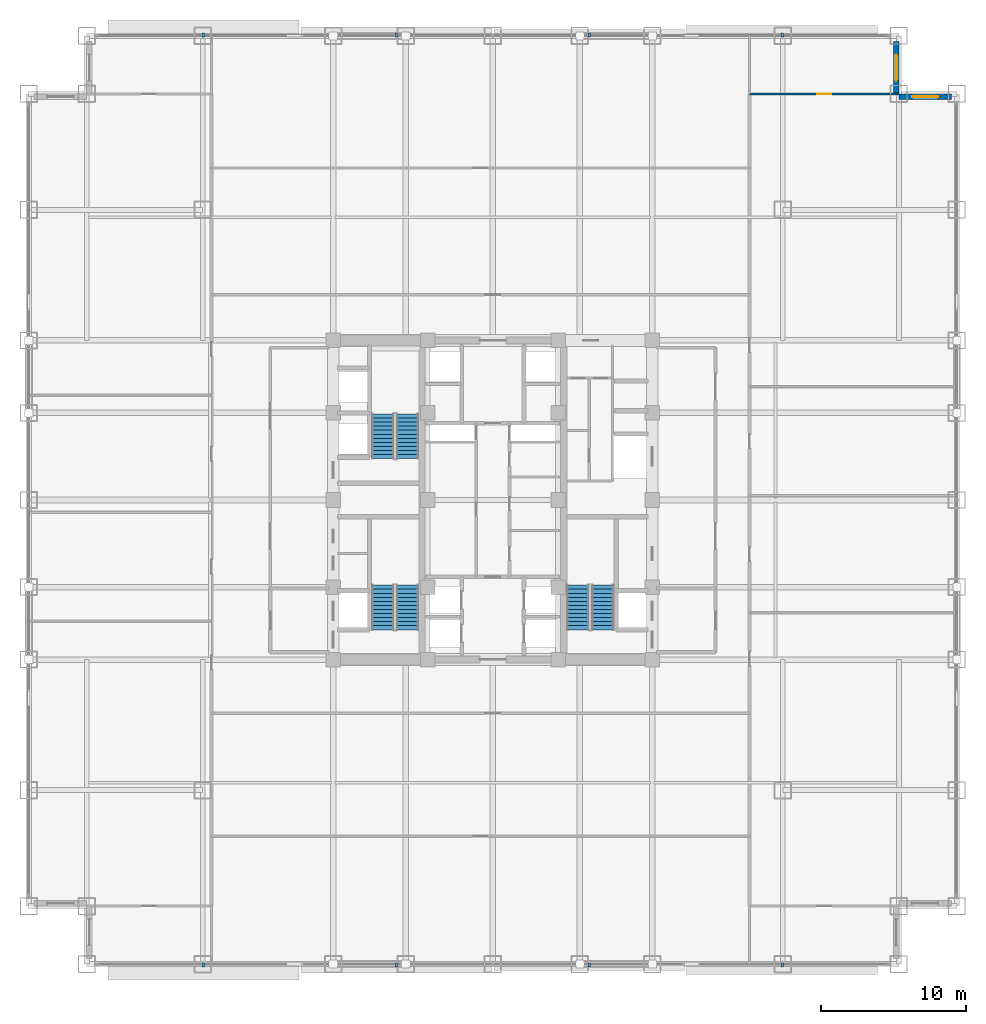
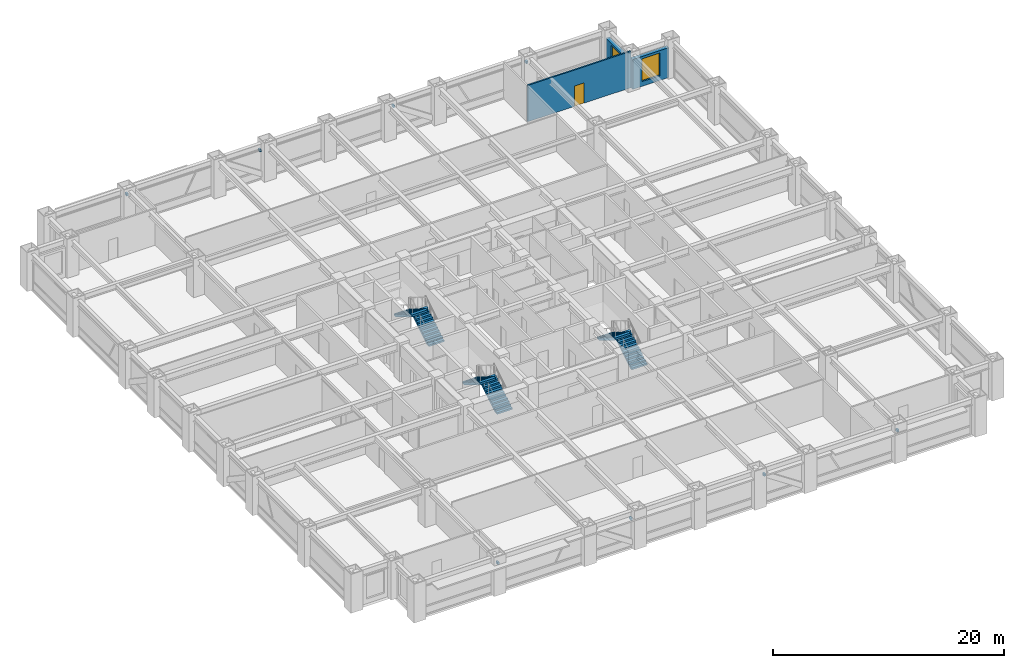
# One storey, part 27 of 32: 8 discrete accessories, 6 stair flights, 3 walls, 2 windows, 1 door, 3 openings, 3 elements without a shape of their own.
"""IFC4 building model written with IfcOpenShell, lengths in metres."""

from ifc_helpers import new_model, si_unit, direction, frame, frame_2d, origin, origin_2d, place, context, subcontext, project, spatial, polyline, rectangle, outline, extrude, source, transform, mapped, material, layer, layer_set, type_object, element, fill, aggregate, save


model = new_model("IFC4")

# Units and contexts
model_context = context("Model", 3, precision=1e-05, world=origin(), true_north=direction((0.0, 1.0)))
body_context = subcontext(model_context, "Body", "Model", "MODEL_VIEW")
ifc_project = project(units=[si_unit("LENGTHUNIT", "METRE"), si_unit("AREAUNIT", "SQUARE_METRE"), si_unit("VOLUMEUNIT", "CUBIC_METRE"), si_unit("PLANEANGLEUNIT", "RADIAN"), si_unit("MASSUNIT", "GRAM", prefix="KILO")], contexts=[model_context])

# Site, building, storey
site_placement = place(None, origin())
site = spatial("IfcSite", under=ifc_project, at=site_placement, CompositionType="ELEMENT")
building_placement = place(site_placement, origin())
building = spatial("IfcBuilding", under=site, at=building_placement, Name="Khorayat Bourse Tower", CompositionType="ELEMENT")
storey_placement = place(building_placement, frame((0.0, 0.0, 95.5)))
storey = spatial("IfcBuildingStorey", under=building, at=storey_placement, Name="L21", CompositionType="ELEMENT", Elevation=95.5)

# Wall, opening, window
ifc_material_1 = material(Name="Precast concrete C45/55", Category="concrete")
ifc_layer_1 = layer(ifc_material_1, 0.3798828125)
ifc_layer_set_1 = layer_set([ifc_layer_1], Name="Precast concrete C45/55")
wall_type_1 = type_object("IfcWallType", Name="WAL-EXT-STONE-380", PredefinedType="STANDARD", material=ifc_layer_set_1)
shared_shape_1 = source(origin(), body_context, "Body", "SweptSolid", [
    extrude(rectangle(XDim=3.6201171875, YDim=0.3798828125, at=frame_2d((1.81005859375, 0.0))), origin(), (0.0, 0.0, 1.0), 3.14501953125),
])
wall_1_placement = place(storey_placement, frame((28.0, 27.81005859375, 0.0), z_axis=(0.0, 0.0, 1.0), x_axis=(1.0, 0.0, 0.0)))
wall_1 = element("IfcWall", 1, at=wall_1_placement, inside=storey, type_object=wall_type_1, Name="L21 Re-Entrant Notch Limestone Wall NE-H", PredefinedType="STANDARD", context=body_context, shape_type="MappedRepresentation", body=[
    mapped(shared_shape_1, transform((0.0, 0.0, 0.0), scale=1.0)),
])
shared_shape_2 = source(origin(), body_context, "Body", "SweptSolid", [
    extrude(rectangle(XDim=1.800048828125, YDim=2.39990234375, at=frame_2d((0.89990234375, 1.199951171875))), frame((0.0, 0.199951171875, 0.0), z_axis=(0.0, -1.0, 0.0), x_axis=(1.0, 0.0, 0.0)), (0.0, 0.0, 1.0), 0.39990234375),
])
opening_1_placement = place(wall_1_placement, frame((0.909912109375, 0.0, 0.5)))
opening_1 = element("IfcOpeningElement", 2, at=opening_1_placement, cuts=wall_1, Name="Opening WN-04", PredefinedType="OPENING", context=body_context, shape_type="MappedRepresentation", body=[
    mapped(shared_shape_2, transform((0.0, 0.0, 0.0), scale=1.0)),
])
ifc_material_2 = material(Name="Low-E acoustic laminated double glazing", Category="glass")
window_type = type_object("IfcWindowType", Name="WIN-NOTCH-1800x2400", PartitioningType="SINGLE_PANEL", PredefinedType="WINDOW", material=ifc_material_2)
shared_shape_3 = source(origin(), body_context, "Body", "SweptSolid", [
    extrude(rectangle(XDim=1.800048828125, YDim=2.39990234375, at=frame_2d((0.89990234375, 1.199951171875))), frame((0.0, 0.030029296875, 0.0), z_axis=(0.0, -1.0, 0.0), x_axis=(1.0, 0.0, 0.0)), (0.0, 0.0, 1.0), 0.06005859375),
])
window_1_placement = place(opening_1_placement, origin())
window_1 = element("IfcWindow", 3, at=window_1_placement, inside=storey, type_object=window_type, Name="L21 Facade Window 1", OverallHeight=2.39990234375, OverallWidth=1.800048828125, PartitioningType="SINGLE_PANEL", PredefinedType="WINDOW", context=body_context, shape_type="MappedRepresentation", body=[
    mapped(shared_shape_3, transform((0.0, 0.0, 0.0), scale=1.0)),
])
fill(opening_1, window_1)

wall_2_placement = place(storey_placement, frame((27.81005859375, 28.0, 0.0), z_axis=(0.0, 0.0, 1.0), x_axis=(0.0, 1.0, 0.0)))
wall_2 = element("IfcWall", 4, at=wall_2_placement, inside=storey, type_object=wall_type_1, Name="L21 Re-Entrant Notch Limestone Wall NE-V", PredefinedType="STANDARD", context=body_context, shape_type="MappedRepresentation", body=[
    mapped(shared_shape_1, transform((0.0, 0.0, 0.0), scale=1.0)),
])
opening_2_placement = place(wall_2_placement, frame((0.909912109375, 0.0, 0.5)))
opening_2 = element("IfcOpeningElement", 5, at=opening_2_placement, cuts=wall_2, Name="Opening WN-04", PredefinedType="OPENING", context=body_context, shape_type="MappedRepresentation", body=[
    mapped(shared_shape_2, transform((0.0, 0.0, 0.0), scale=1.0)),
])
window_2_placement = place(opening_2_placement, origin())
window_2 = element("IfcWindow", 6, at=window_2_placement, inside=storey, type_object=window_type, Name="L21 Facade Window 1", OverallHeight=2.39990234375, OverallWidth=1.800048828125, PartitioningType="SINGLE_PANEL", PredefinedType="WINDOW", context=body_context, shape_type="MappedRepresentation", body=[
    mapped(shared_shape_3, transform((0.0, 0.0, 0.0), scale=1.0)),
])
fill(opening_2, window_2)

# Wall, opening, door
ifc_material_3 = material(Name="Gypsum plasterboard twin-frame partition")
ifc_layer_2 = layer(ifc_material_3, 0.14990234375)
ifc_layer_set_2 = layer_set([ifc_layer_2], Name="Gypsum plasterboard twin-frame partition")
wall_type_2 = type_object("IfcWallType", Name="WAL-PART-SUITE-150", PredefinedType="PARTITIONING", material=ifc_layer_set_2)
shared_shape_4 = source(origin(), body_context, "Body", "SweptSolid", [
    extrude(rectangle(XDim=10.300048828125, YDim=0.14990234375, at=frame_2d((5.14990234375, 0.0))), origin(), (0.0, 0.0, 1.0), 3.840087890625),
])
wall_3_placement = place(storey_placement, frame((17.699951171875, 28.0, 0.0), z_axis=(0.0, 0.0, 1.0), x_axis=(1.0, 0.0, 0.0)))
wall_3 = element("IfcWall", 7, at=wall_3_placement, inside=storey, type_object=wall_type_2, Name="L21 Partition WAL-L21-CNE", PredefinedType="PARTITIONING", context=body_context, shape_type="MappedRepresentation", body=[
    mapped(shared_shape_4, transform((0.0, 0.0, 0.0), scale=1.0)),
])
shared_shape_5 = source(origin(), body_context, "Body", "SweptSolid", [
    extrude(rectangle(XDim=0.949951171875, YDim=2.14990234375, at=frame_2d((0.47509765625, 1.074951171875))), frame((0.0, 0.0849609375, 0.0), z_axis=(0.0, -1.0, 0.0), x_axis=(1.0, 0.0, 0.0)), (0.0, 0.0, 1.0), 0.169921875),
])
opening_3_placement = place(wall_3_placement, frame((4.675048828125, 0.0, 0.0)))
opening_3 = element("IfcOpeningElement", 8, at=opening_3_placement, cuts=wall_3, Name="Opening DI-05", PredefinedType="OPENING", context=body_context, shape_type="MappedRepresentation", body=[
    mapped(shared_shape_5, transform((0.0, 0.0, 0.0), scale=1.0)),
])
ifc_material_4 = material(Name="Acoustic oak veneer office door")
door_type = type_object("IfcDoorType", Name="DR-INT-OFFICE-950", OperationType="NOTDEFINED", PredefinedType="DOOR", material=ifc_material_4)
shared_shape_6 = source(origin(), body_context, "Body", "SweptSolid", [
    extrude(rectangle(XDim=0.949951171875, YDim=2.14990234375, at=frame_2d((0.47509765625, 1.074951171875))), frame((0.0, 0.02490234375, 0.0), z_axis=(0.0, -1.0, 0.0), x_axis=(1.0, 0.0, 0.0)), (0.0, 0.0, 1.0), 0.050048828125),
])
door_placement = place(opening_3_placement, origin())
door = element("IfcDoor", 9, at=door_placement, inside=storey, type_object=door_type, Name="L21 North-East Corner Lounge Door", OperationType="SINGLE_SWING_LEFT", OverallHeight=2.14990234375, OverallWidth=0.949951171875, PredefinedType="DOOR", context=body_context, shape_type="MappedRepresentation", body=[
    mapped(shared_shape_6, transform((0.0, 0.0, 0.0), scale=1.0)),
])
fill(opening_3, door)

# Stair, stair flights
ifc_material_5 = material(Name="Concrete C40/50", Category="concrete")
stair_type = type_object("IfcStairType", Name="STR-CORE-1550", PredefinedType="HALF_TURN_STAIR", material=ifc_material_5)
stair_1_placement = place(storey_placement, origin())
stair_1 = element("IfcStair", 10, at=stair_1_placement, inside=storey, type_object=stair_type, Name="L21 Exit Stair ST-1", PredefinedType="HALF_TURN_STAIR")
stair_flight_type = type_object("IfcStairFlightType", Name="FLT-CORE-1550", PredefinedType="STRAIGHT", material=ifc_material_5)
shared_shape_7 = source(origin(), body_context, "Body", "SweptSolid", [
    extrude(outline(polyline([(0.0, 0.0), (0.0, 0.1708984375), (0.280029296875, 0.1708984375), (0.280029296875, 0.341552734375), (0.56005859375, 0.341552734375), (0.56005859375, 0.512451171875), (0.840087890625, 0.512451171875), (0.840087890625, 0.683349609375), (1.1201171875, 0.683349609375), (1.1201171875, 0.854248046875), (1.39990234375, 0.854248046875), (1.39990234375, 1.02490234375), (1.679931640625, 1.02490234375), (1.679931640625, 1.19580078125), (1.9599609375, 1.19580078125), (1.9599609375, 1.36669921875), (2.239990234375, 1.36669921875), (2.239990234375, 1.53759765625), (2.52001953125, 1.53759765625), (2.52001953125, 1.708251953125), (2.800048828125, 1.708251953125), (2.800048828125, 1.879150390625), (3.080078125, 1.879150390625), (3.080078125, 2.050048828125), (3.080078125, 1.66845703125), (0.345458984375, 0.0), (0.0, 0.0)])), frame((0.0, 0.77490234375, 0.0), z_axis=(0.0, -1.0, 0.0), x_axis=(1.0, 0.0, 0.0)), (0.0, 0.0, 1.0), 1.550048828125),
])
stair_flight_1_placement = place(storey_placement, frame((-5.875, -8.949951171875, 0.0), z_axis=(0.0, 0.0, 1.0), x_axis=(0.0, 1.0, 0.0)))
stair_flight_1 = element("IfcStairFlight", 11, at=stair_flight_1_placement, type_object=stair_flight_type, Name="ST-1 flight 1", NumberOfRisers=12, NumberOfTreads=11, PredefinedType="STRAIGHT", RiserHeight=0.170833333, TreadLength=0.28, context=body_context, shape_type="MappedRepresentation", body=[
    mapped(shared_shape_7, transform((0.0, 0.0, 0.0), scale=1.0)),
])
stair_flight_2_placement = place(storey_placement, frame((-7.574951171875, -5.8701171875, 2.050048828125), z_axis=(0.0, 0.0, 1.0), x_axis=(0.0, -1.0, 0.0)))
stair_flight_2 = element("IfcStairFlight", 12, at=stair_flight_2_placement, type_object=stair_flight_type, Name="ST-1 flight 2", NumberOfRisers=12, NumberOfTreads=11, PredefinedType="STRAIGHT", RiserHeight=0.170833333, TreadLength=0.28, context=body_context, shape_type="MappedRepresentation", body=[
    mapped(shared_shape_7, transform((0.0, 0.0, 0.0), scale=1.0)),
])
aggregate(stair_1, [stair_flight_1, stair_flight_2])

stair_2_placement = place(storey_placement, origin())
stair_2 = element("IfcStair", 13, at=stair_2_placement, inside=storey, type_object=stair_type, Name="L21 Exit Stair ST-2", PredefinedType="HALF_TURN_STAIR")
stair_flight_3_placement = place(storey_placement, frame((-5.875, 2.85009765625, 0.0), z_axis=(0.0, 0.0, 1.0), x_axis=(0.0, 1.0, 0.0)))
stair_flight_3 = element("IfcStairFlight", 14, at=stair_flight_3_placement, type_object=stair_flight_type, Name="ST-2 flight 1", NumberOfRisers=12, NumberOfTreads=11, PredefinedType="STRAIGHT", RiserHeight=0.170833333, TreadLength=0.28, context=body_context, shape_type="MappedRepresentation", body=[
    mapped(shared_shape_7, transform((0.0, 0.0, 0.0), scale=1.0)),
])
stair_flight_4_placement = place(storey_placement, frame((-7.574951171875, 5.929931640625, 2.050048828125), z_axis=(0.0, 0.0, 1.0), x_axis=(0.0, -1.0, 0.0)))
stair_flight_4 = element("IfcStairFlight", 15, at=stair_flight_4_placement, type_object=stair_flight_type, Name="ST-2 flight 2", NumberOfRisers=12, NumberOfTreads=11, PredefinedType="STRAIGHT", RiserHeight=0.170833333, TreadLength=0.28, context=body_context, shape_type="MappedRepresentation", body=[
    mapped(shared_shape_7, transform((0.0, 0.0, 0.0), scale=1.0)),
])
aggregate(stair_2, [stair_flight_3, stair_flight_4])

stair_3_placement = place(storey_placement, origin())
stair_3 = element("IfcStair", 16, at=stair_3_placement, inside=storey, type_object=stair_type, Name="L21 Exit Stair ST-3", PredefinedType="HALF_TURN_STAIR")
stair_flight_5_placement = place(storey_placement, frame((7.574951171875, -8.949951171875, 0.0), z_axis=(0.0, 0.0, 1.0), x_axis=(0.0, 1.0, 0.0)))
stair_flight_5 = element("IfcStairFlight", 17, at=stair_flight_5_placement, type_object=stair_flight_type, Name="ST-3 flight 1", NumberOfRisers=12, NumberOfTreads=11, PredefinedType="STRAIGHT", RiserHeight=0.170833333, TreadLength=0.28, context=body_context, shape_type="MappedRepresentation", body=[
    mapped(shared_shape_7, transform((0.0, 0.0, 0.0), scale=1.0)),
])
stair_flight_6_placement = place(storey_placement, frame((5.875, -5.8701171875, 2.050048828125), z_axis=(0.0, 0.0, 1.0), x_axis=(0.0, -1.0, 0.0)))
stair_flight_6 = element("IfcStairFlight", 18, at=stair_flight_6_placement, type_object=stair_flight_type, Name="ST-3 flight 2", NumberOfRisers=12, NumberOfTreads=11, PredefinedType="STRAIGHT", RiserHeight=0.170833333, TreadLength=0.28, context=body_context, shape_type="MappedRepresentation", body=[
    mapped(shared_shape_7, transform((0.0, 0.0, 0.0), scale=1.0)),
])
aggregate(stair_3, [stair_flight_5, stair_flight_6])

# Discrete accessories
ifc_material_6 = material(Name="Steel EN 10025-2 S355J2", Category="steel")
discrete_accessory_type = type_object("IfcDiscreteAccessoryType", Name="ACC-SHADE-BRACKET", PredefinedType="BRACKET", material=ifc_material_6)
shared_shape_8 = source(origin(), body_context, "Body", "SweptSolid", [
    extrude(rectangle(XDim=0.179931640625, YDim=0.300048828125, at=origin_2d()), origin(), (0.0, 0.0, 1.0), 0.239990234375),
])
for number, where, z_axis, x_axis, name in (
    (19, (-19.949951171875, -32.06005859375, 2.93994140625), (0.0, 0.0, 1.0), (1.0, 0.0, 0.0), "L21 Sunshade Support Bracket S-1"),
    (20, (-6.64990234375, -32.06005859375, 2.93994140625), (0.0, 0.0, 1.0), (1.0, 0.0, 0.0), "L21 Sunshade Support Bracket S-2"),
    (21, (6.64990234375, -32.06005859375, 2.93994140625), (0.0, 0.0, 1.0), (1.0, 0.0, 0.0), "L21 Sunshade Support Bracket S-3"),
    (22, (19.949951171875, -32.06005859375, 2.93994140625), (0.0, 0.0, 1.0), (1.0, 0.0, 0.0), "L21 Sunshade Support Bracket S-4"),
    (23, (-19.949951171875, 32.06005859375, 2.93994140625), (0.0, 0.0, 1.0), (1.0, 0.0, 0.0), "L21 Sunshade Support Bracket N-1"),
    (24, (-6.64990234375, 32.06005859375, 2.93994140625), (0.0, 0.0, 1.0), (1.0, 0.0, 0.0), "L21 Sunshade Support Bracket N-2"),
    (25, (6.64990234375, 32.06005859375, 2.93994140625), (0.0, 0.0, 1.0), (1.0, 0.0, 0.0), "L21 Sunshade Support Bracket N-3"),
    (26, (19.949951171875, 32.06005859375, 2.93994140625), (0.0, 0.0, 1.0), (1.0, 0.0, 0.0), "L21 Sunshade Support Bracket N-4"),
):
    element("IfcDiscreteAccessory", number, at=place(storey_placement, frame(where, z_axis=z_axis, x_axis=x_axis)), inside=storey, type_object=discrete_accessory_type, Name=name, PredefinedType="BRACKET", context=body_context, shape_type="MappedRepresentation", body=[
        mapped(shared_shape_8, transform((0.0, 0.0, 0.0), scale=1.0)),
    ])

save(model, "model.ifc")
